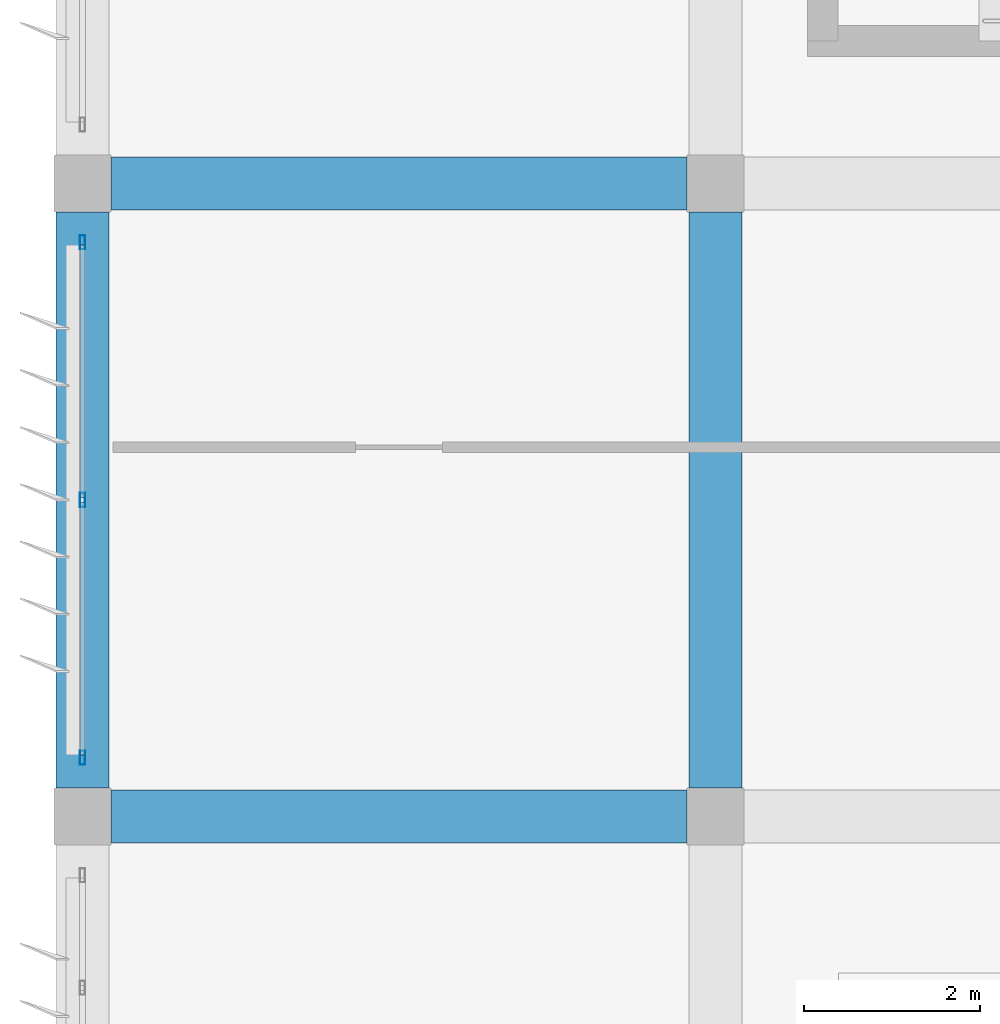
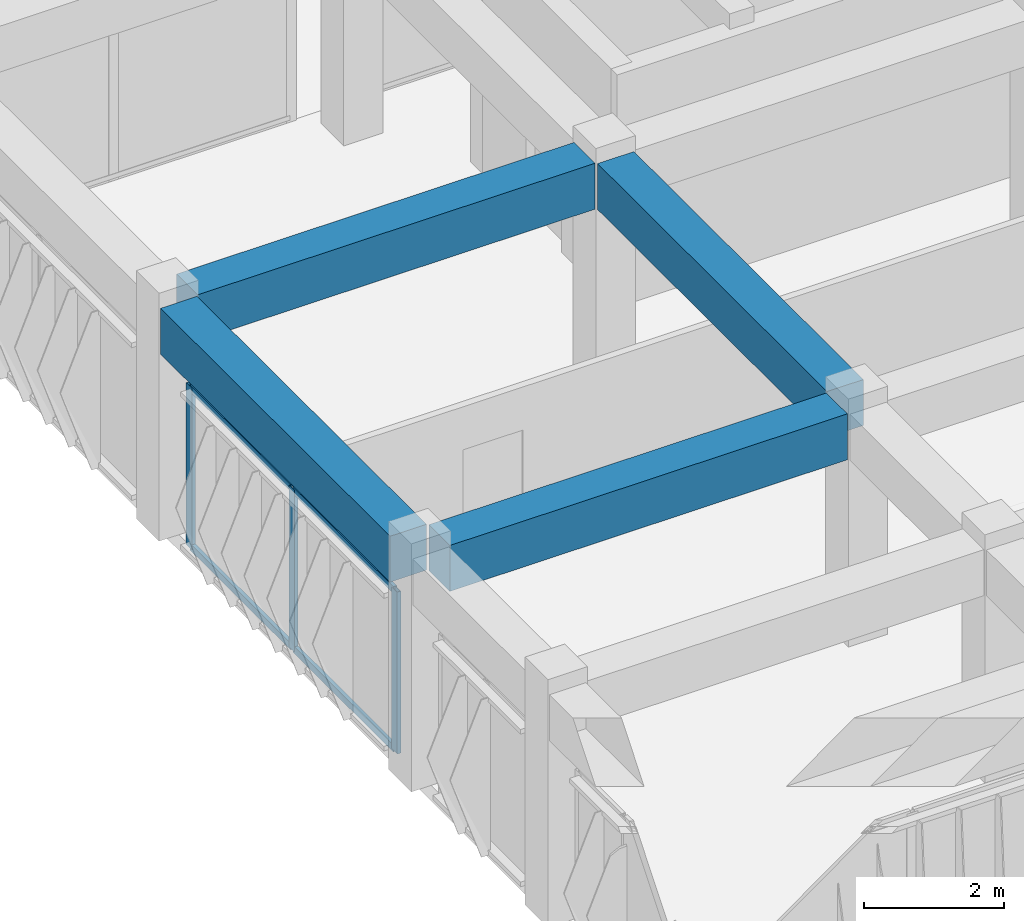
# One storey, part 5 of 42: 7 members, 4 beams, 1 element without a shape of its own.
"""IFC4 building model written with IfcOpenShell, lengths in metres."""

from ifc_helpers import new_model, si_unit, direction, frame, origin, origin_2d, place, context, subcontext, project, spatial, rectangle, hollow_rectangle, extrude, material, material_profile, profile_set, type_object, element, aggregate, save


model = new_model("IFC4")

# Units and contexts
model_context = context("Model", 3, precision=1e-05, world=origin(), true_north=direction((0.0, 1.0)))
body_context = subcontext(model_context, "Body", "Model", "MODEL_VIEW")
ifc_project = project(units=[si_unit("LENGTHUNIT", "METRE"), si_unit("AREAUNIT", "SQUARE_METRE"), si_unit("VOLUMEUNIT", "CUBIC_METRE"), si_unit("PLANEANGLEUNIT", "RADIAN"), si_unit("MASSUNIT", "GRAM", prefix="KILO")], contexts=[model_context])

# Site, building, storey
site_placement = place(None, origin())
site = spatial("IfcSite", under=ifc_project, at=site_placement, CompositionType="ELEMENT")
building_placement = place(site_placement, origin())
building = spatial("IfcBuilding", under=site, at=building_placement, Name="Kazehaya Institute of Natural Sciences", CompositionType="ELEMENT")
storey_placement = place(building_placement, frame((0.0, 0.0, 37.6201171875)))
storey = spatial("IfcBuildingStorey", under=building, at=storey_placement, Name="L08", CompositionType="ELEMENT", Elevation=37.6201171875)

# Beams
ifc_material_1 = material(Name="Concrete Fc36", Category="concrete")
ifc_material_profile_1 = material_profile(ifc_material_1, rectangle(XDim=0.60009765625, YDim=0.800048828125, at=origin_2d()), Name="RC-600x800")
ifc_profile_set_1 = profile_set([ifc_material_profile_1], Name="Concrete Fc36")
beam_type = type_object("IfcBeamType", Name="BM-G-600x800", PredefinedType="BEAM", material=ifc_profile_set_1)
for number, where, z_axis, x_axis, name in (
    (1, (54.925048828125, 14.0, 3.64990234375), (1.0, 0.0, 0.0), (0.0, 1.0, 0.0), "L08 primary X girder BMX-L08-546-140"),
    (2, (54.925048828125, 21.199951171875, 3.64990234375), (1.0, 0.0, 0.0), (0.0, 1.0, 0.0), "L08 primary X girder BMX-L08-546-212"),
    (3, (54.60009765625, 14.324951171875, 3.64990234375), (0.0, 1.0, 0.0), (-1.0, 0.0, 0.0), "L08 primary Y girder BMY-L08-546-140"),
    (4, (61.800048828125, 14.324951171875, 3.64990234375), (0.0, 1.0, 0.0), (-1.0, 0.0, 0.0), "L08 primary Y girder BMY-L08-618-140"),
):
    element("IfcBeam", number, at=place(storey_placement, frame(where, z_axis=z_axis, x_axis=x_axis)), inside=storey, type_object=beam_type, Name=name, PredefinedType="BEAM", context=body_context, shape_type="SweptSolid", body=[
        extrude(rectangle(XDim=0.60009765625, YDim=0.800048828125, at=origin_2d()), origin(), (0.0, 0.0, 1.0), 6.550048828125),
    ])

# Curtain wall, members
ifc_material_2 = material(Name="Aluminium alloy A6063S-T5", Category="aluminium")
curtain_wall_type = type_object("IfcCurtainWallType", Name="CW-SYS-10", PredefinedType="NOTDEFINED", material=ifc_material_2)
curtain_wall_placement = place(storey_placement, origin())
curtain_wall = element("IfcCurtainWall", 5, at=curtain_wall_placement, inside=storey, type_object=curtain_wall_type, Name="L08 unitised curtain wall CW-L08-197", PredefinedType="NOTDEFINED")
ifc_material_profile_2 = material_profile(ifc_material_2, hollow_rectangle(XDim=0.06005859375, YDim=0.159912109375, WallThickness=0.00390625, at=origin_2d()), Name="ALU-60x160x4")
ifc_profile_set_2 = profile_set([ifc_material_profile_2], Name="Aluminium alloy A6063S-T5")
member_type_1 = type_object("IfcMemberType", Name="CWM-160", PredefinedType="MULLION", material=ifc_profile_set_2)
member_1_placement = place(storey_placement, frame((54.60009765625, 14.669921875, 0.0), z_axis=(0.0, 0.0, 1.0), x_axis=(-1.0, 0.0, 0.0)))
member_1 = element("IfcMember", 6, at=member_1_placement, type_object=member_type_1, Name="CW10 mullion 1", PredefinedType="MULLION", context=body_context, shape_type="SweptSolid", body=[
    extrude(hollow_rectangle(XDim=0.06005859375, YDim=0.159912109375, WallThickness=0.00390625, at=origin_2d()), origin(), (0.0, 0.0, 1.0), 2.81982421875),
])
member_2_placement = place(storey_placement, frame((54.60009765625, 17.60009765625, 0.0), z_axis=(0.0, 0.0, 1.0), x_axis=(-1.0, 0.0, 0.0)))
member_2 = element("IfcMember", 7, at=member_2_placement, type_object=member_type_1, Name="CW10 mullion 2", PredefinedType="MULLION", context=body_context, shape_type="SweptSolid", body=[
    extrude(hollow_rectangle(XDim=0.06005859375, YDim=0.159912109375, WallThickness=0.00390625, at=origin_2d()), origin(), (0.0, 0.0, 1.0), 2.81982421875),
])
member_3_placement = place(storey_placement, frame((54.60009765625, 20.530029296875, 0.0), z_axis=(0.0, 0.0, 1.0), x_axis=(-1.0, 0.0, 0.0)))
member_3 = element("IfcMember", 8, at=member_3_placement, type_object=member_type_1, Name="CW10 mullion 3", PredefinedType="MULLION", context=body_context, shape_type="SweptSolid", body=[
    extrude(hollow_rectangle(XDim=0.06005859375, YDim=0.159912109375, WallThickness=0.00390625, at=origin_2d()), origin(), (0.0, 0.0, 1.0), 2.81982421875),
])
ifc_material_profile_3 = material_profile(ifc_material_2, hollow_rectangle(XDim=0.06005859375, YDim=0.1201171875, WallThickness=0.00341796875, at=origin_2d()), Name="ALU-60x120x3.5")
ifc_profile_set_3 = profile_set([ifc_material_profile_3], Name="Aluminium alloy A6063S-T5")
member_type_2 = type_object("IfcMemberType", Name="CWT-120", PredefinedType="USERDEFINED", material=ifc_profile_set_3)
member_4_placement = place(storey_placement, frame((54.60009765625, 14.699951171875, 0.02978515625), z_axis=(0.0, 1.0, 0.0), x_axis=(-1.0, 0.0, 0.0)))
member_4 = element("IfcMember", 9, at=member_4_placement, type_object=member_type_2, Name="CW10 transom 1.1", ObjectType="TRANSOM", PredefinedType="USERDEFINED", context=body_context, shape_type="SweptSolid", body=[
    extrude(hollow_rectangle(XDim=0.06005859375, YDim=0.1201171875, WallThickness=0.00341796875, at=origin_2d()), origin(), (0.0, 0.0, 1.0), 2.8701171875),
])
member_5_placement = place(storey_placement, frame((54.60009765625, 14.699951171875, 2.789794921875), z_axis=(0.0, 1.0, 0.0), x_axis=(-1.0, 0.0, 0.0)))
member_5 = element("IfcMember", 10, at=member_5_placement, type_object=member_type_2, Name="CW10 transom 1.2", ObjectType="TRANSOM", PredefinedType="USERDEFINED", context=body_context, shape_type="SweptSolid", body=[
    extrude(hollow_rectangle(XDim=0.06005859375, YDim=0.1201171875, WallThickness=0.00341796875, at=origin_2d()), origin(), (0.0, 0.0, 1.0), 2.8701171875),
])
member_6_placement = place(storey_placement, frame((54.60009765625, 17.6298828125, 0.02978515625), z_axis=(0.0, 1.0, 0.0), x_axis=(-1.0, 0.0, 0.0)))
member_6 = element("IfcMember", 11, at=member_6_placement, type_object=member_type_2, Name="CW10 transom 2.1", ObjectType="TRANSOM", PredefinedType="USERDEFINED", context=body_context, shape_type="SweptSolid", body=[
    extrude(hollow_rectangle(XDim=0.06005859375, YDim=0.1201171875, WallThickness=0.00341796875, at=origin_2d()), origin(), (0.0, 0.0, 1.0), 2.8701171875),
])
member_7_placement = place(storey_placement, frame((54.60009765625, 17.6298828125, 2.789794921875), z_axis=(0.0, 1.0, 0.0), x_axis=(-1.0, 0.0, 0.0)))
member_7 = element("IfcMember", 12, at=member_7_placement, type_object=member_type_2, Name="CW10 transom 2.2", ObjectType="TRANSOM", PredefinedType="USERDEFINED", context=body_context, shape_type="SweptSolid", body=[
    extrude(hollow_rectangle(XDim=0.06005859375, YDim=0.1201171875, WallThickness=0.00341796875, at=origin_2d()), origin(), (0.0, 0.0, 1.0), 2.8701171875),
])
aggregate(curtain_wall, [member_1, member_2, member_3, member_4, member_5, member_6, member_7])

save(model, "model.ifc")
